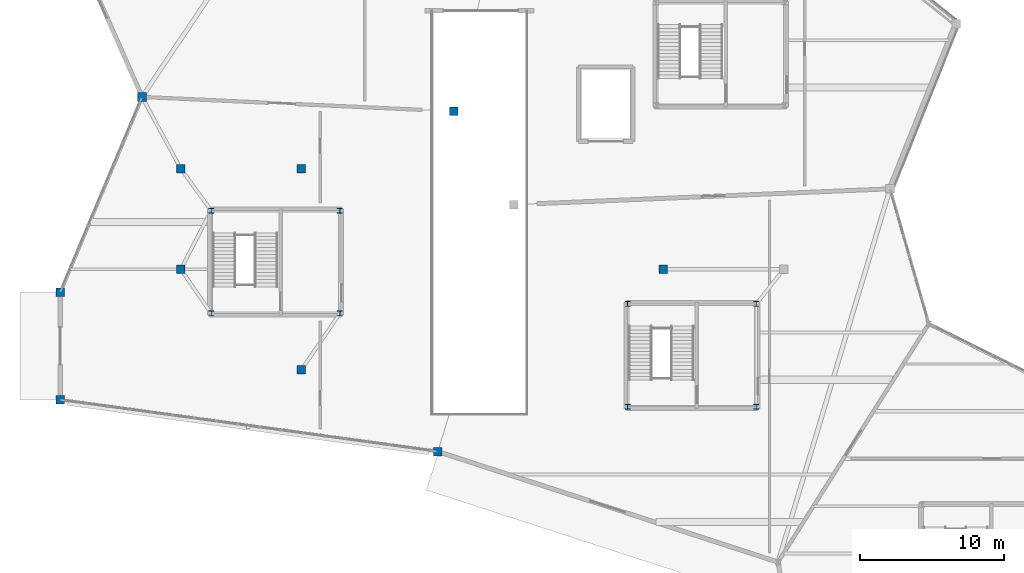
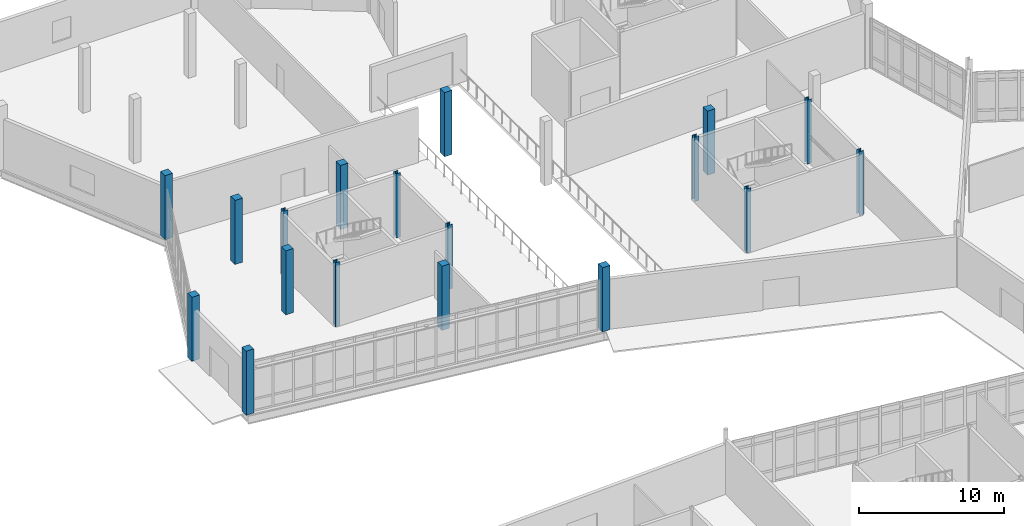
# One storey, part 12 of 113: 18 columns.
"""IFC4 building model written with IfcOpenShell, lengths in metres."""

from ifc_helpers import new_model, si_unit, direction, frame, origin, origin_2d, place, context, subcontext, project, spatial, rectangle, i_section, extrude, material, material_profile, profile_set, type_object, element, save


model = new_model("IFC4")

# Units and contexts
model_context = context("Model", 3, precision=1e-05, world=origin(), true_north=direction((0.0, 1.0)))
body_context = subcontext(model_context, "Body", "Model", "MODEL_VIEW")
ifc_project = project(units=[si_unit("LENGTHUNIT", "METRE"), si_unit("AREAUNIT", "SQUARE_METRE"), si_unit("VOLUMEUNIT", "CUBIC_METRE"), si_unit("PLANEANGLEUNIT", "RADIAN"), si_unit("MASSUNIT", "GRAM", prefix="KILO")], contexts=[model_context])

# Site, building, storey
site_placement = place(None, origin())
site = spatial("IfcSite", under=ifc_project, at=site_placement, CompositionType="ELEMENT")
building_placement = place(site_placement, origin())
building = spatial("IfcBuilding", under=site, at=building_placement, Name="Tameran Prism Museum", CompositionType="ELEMENT")
storey_placement = place(building_placement, origin())
storey = spatial("IfcBuildingStorey", under=building, at=storey_placement, Name="L00", CompositionType="ELEMENT", Elevation=0.0)

# Columns
ifc_material_1 = material(Name="Concrete N50 (50 MPa)", Category="concrete")
ifc_material_profile_1 = material_profile(ifc_material_1, rectangle(XDim=0.60009765625, YDim=0.60009765625, at=origin_2d()))
ifc_profile_set_1 = profile_set([ifc_material_profile_1])
column_type_1 = type_object("IfcColumnType", Name="COL-RC600", PredefinedType="COLUMN", material=ifc_profile_set_1)
for number, where, z_axis, x_axis, name in (
    (1, (0.0, 67.89990234375, 0.0), (0.0, 0.0, 1.0), (1.0, 0.0, 0.0), "Column CV-05 L00"),
    (2, (0.0, 75.39990234375, 0.0), (0.0, 0.0, 1.0), (1.0, 0.0, 0.0), "Column CV-06 L00"),
    (3, (5.699951171875, 89.0, 0.0), (0.0, 0.0, 1.0), (1.0, 0.0, 0.0), "Column CV-10 L00"),
    (4, (26.300048828125, 64.300048828125, 0.0), (0.0, 0.0, 1.0), (1.0, 0.0, 0.0), "Column CV-16 L00"),
    (5, (27.39990234375, 88.0, 0.0), (0.0, 0.0, 1.0), (1.0, 0.0, 0.0), "Column CV-17 L00"),
    (6, (42.0, 77.0, 0.0), (0.0, 0.0, 1.0), (1.0, 0.0, 0.0), "Column CI-01 L00"),
    (7, (8.39990234375, 77.0, 0.0), (0.0, 0.0, 1.0), (1.0, 0.0, 0.0), "Column CI-05 L00"),
    (8, (8.39990234375, 84.0, 0.0), (0.0, 0.0, 1.0), (1.0, 0.0, 0.0), "Column CI-06 L00"),
    (9, (16.800048828125, 70.0, 0.0), (0.0, 0.0, 1.0), (1.0, 0.0, 0.0), "Column CI-07 L00"),
    (10, (16.800048828125, 84.0, 0.0), (0.0, 0.0, 1.0), (1.0, 0.0, 0.0), "Column CI-08 L00"),
):
    element("IfcColumn", number, at=place(storey_placement, frame(where, z_axis=z_axis, x_axis=x_axis)), inside=storey, type_object=column_type_1, Name=name, PredefinedType="COLUMN", context=body_context, shape_type="SweptSolid", body=[
        extrude(rectangle(XDim=0.60009765625, YDim=0.60009765625, at=origin_2d()), origin(), (0.0, 0.0, 1.0), 5.39990234375),
    ])
ifc_material_2 = material(Name="Steel Grade 350 (350 MPa)", Category="steel")
ifc_material_profile_2 = material_profile(ifc_material_2, i_section(OverallWidth=0.35009765625, OverallDepth=0.35009765625, WebThickness=0.02001953125, FlangeThickness=0.028076171875, at=origin_2d()))
ifc_profile_set_2 = profile_set([ifc_material_profile_2])
column_type_2 = type_object("IfcColumnType", Name="COL-WC350", PredefinedType="COLUMN", material=ifc_profile_set_2)
for number, where, z_axis, x_axis, name in (
    (11, (39.52001953125, 67.419921875, 0.0), (0.0, 0.0, 1.0), (1.0, 0.0, 0.0), "Column CC-5-1 L00"),
    (12, (48.47998046875, 67.419921875, 0.0), (0.0, 0.0, 1.0), (1.0, 0.0, 0.0), "Column CC-5-2 L00"),
    (13, (48.47998046875, 74.580078125, 0.0), (0.0, 0.0, 1.0), (1.0, 0.0, 0.0), "Column CC-5-3 L00"),
    (14, (39.52001953125, 74.580078125, 0.0), (0.0, 0.0, 1.0), (1.0, 0.0, 0.0), "Column CC-5-4 L00"),
    (15, (10.52001953125, 73.919921875, 0.0), (0.0, 0.0, 1.0), (1.0, 0.0, 0.0), "Column CC-9-1 L00"),
    (16, (19.47998046875, 73.919921875, 0.0), (0.0, 0.0, 1.0), (1.0, 0.0, 0.0), "Column CC-9-2 L00"),
    (17, (19.47998046875, 81.080078125, 0.0), (0.0, 0.0, 1.0), (1.0, 0.0, 0.0), "Column CC-9-3 L00"),
    (18, (10.52001953125, 81.080078125, 0.0), (0.0, 0.0, 1.0), (1.0, 0.0, 0.0), "Column CC-9-4 L00"),
):
    element("IfcColumn", number, at=place(storey_placement, frame(where, z_axis=z_axis, x_axis=x_axis)), inside=storey, type_object=column_type_2, Name=name, PredefinedType="COLUMN", context=body_context, shape_type="SweptSolid", body=[
        extrude(i_section(OverallWidth=0.35009765625, OverallDepth=0.35009765625, WebThickness=0.02001953125, FlangeThickness=0.028076171875, at=origin_2d()), origin(), (0.0, 0.0, 1.0), 5.39990234375),
    ])

save(model, "model.ifc")
